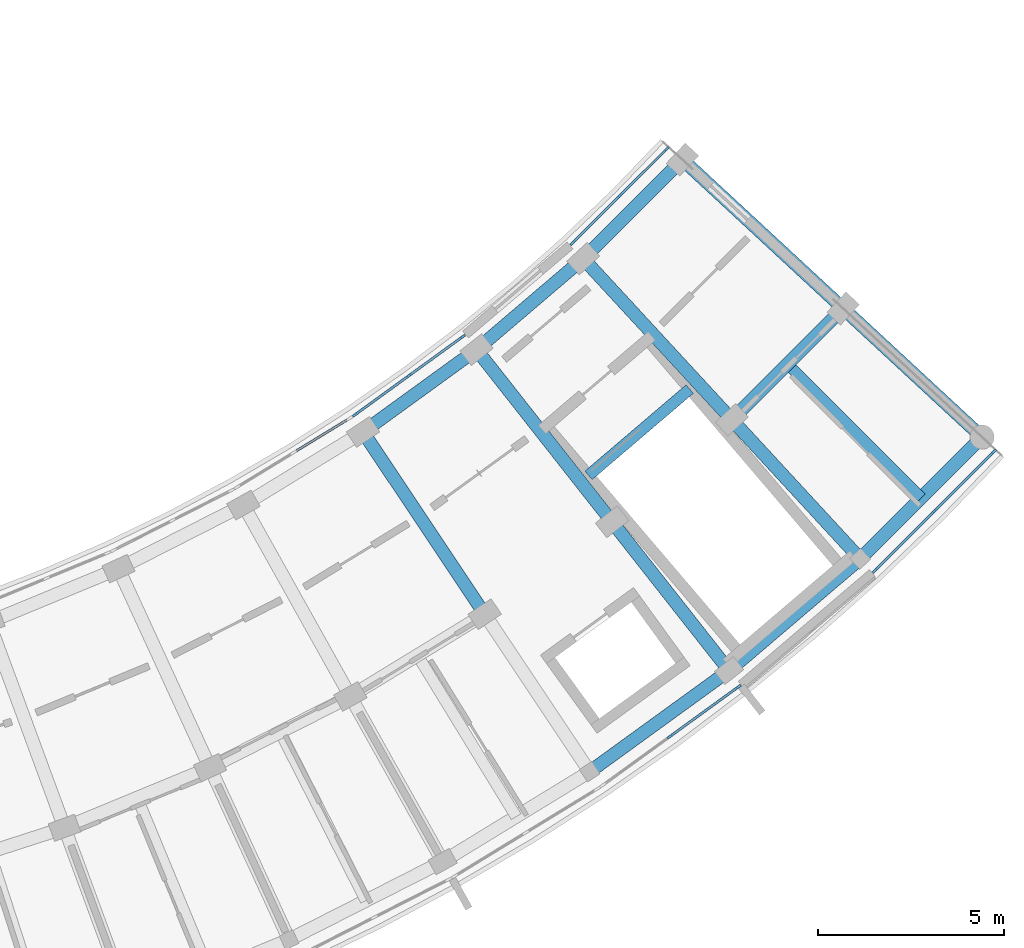
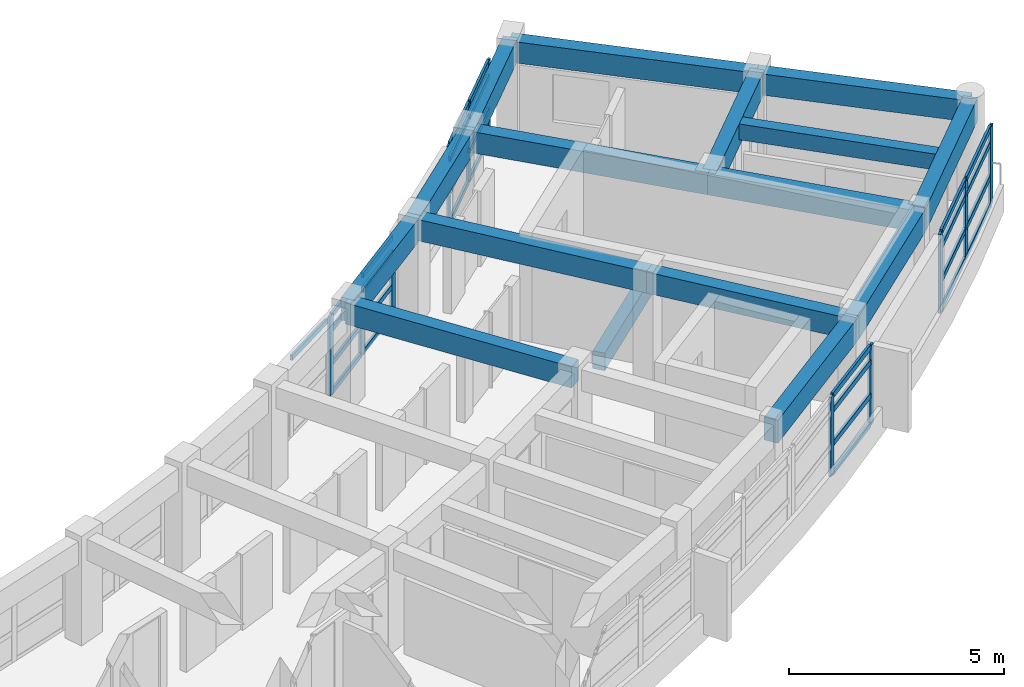
# One storey, part 19 of 54: 40 members, 16 beams, 5 elements without a shape of their own.
"""IFC4 building model written with IfcOpenShell, lengths in metres."""

from ifc_helpers import new_model, si_unit, direction, frame, origin, origin_2d, place, context, subcontext, project, spatial, rectangle, extrude, material, material_profile, profile_set, type_object, element, aggregate, save


model = new_model("IFC4")

# Units and contexts
model_context = context("Model", 3, precision=1e-05, world=origin(), true_north=direction((0.0, 1.0)))
body_context = subcontext(model_context, "Body", "Model", "MODEL_VIEW")
ifc_project = project(units=[si_unit("LENGTHUNIT", "METRE"), si_unit("AREAUNIT", "SQUARE_METRE"), si_unit("VOLUMEUNIT", "CUBIC_METRE"), si_unit("PLANEANGLEUNIT", "RADIAN"), si_unit("MASSUNIT", "GRAM", prefix="KILO")], contexts=[model_context])

# Site, building, storey
site_placement = place(None, origin())
site = spatial("IfcSite", under=ifc_project, at=site_placement, CompositionType="ELEMENT")
building_placement = place(site_placement, origin())
building = spatial("IfcBuilding", under=site, at=building_placement, Name="Zimvara Arc Housing Community", CompositionType="ELEMENT")
storey_placement = place(building_placement, frame((0.0, 0.0, 23.60009765625)))
storey = spatial("IfcBuildingStorey", under=building, at=storey_placement, Name="L07", CompositionType="ELEMENT", Elevation=23.60009765625)

# Beams
ifc_material_1 = material(Name="Concrete C40/50", Category="concrete")
ifc_material_profile_1 = material_profile(ifc_material_1, rectangle(XDim=0.300048828125, YDim=0.449951171875, at=origin_2d()), Name="RC 300x450")
ifc_profile_set_1 = profile_set([ifc_material_profile_1], Name="Concrete C40/50")
beam_type_1 = type_object("IfcBeamType", Name="BM-RC-300x450", PredefinedType="JOIST", material=ifc_profile_set_1)
beam_1_placement = place(storey_placement, frame((163.959716796875, 71.813720703125, 2.69482421875), z_axis=(0.706529394337, -0.707683696956, 0.0), x_axis=(0.707683696956, 0.706529394337, 0.0)))
element("IfcBeam", 1, at=beam_1_placement, inside=storey, type_object=beam_type_1, Name="bm:blkD:L07:joist:b9", PredefinedType="JOIST", context=body_context, shape_type="SweptSolid", body=[
    extrude(rectangle(XDim=0.300048828125, YDim=0.449951171875, at=origin_2d()), origin(), (0.0, 0.0, 1.0), 5.076171875),
])
ifc_material_2 = material(Name="Concrete C40/50", Category="concrete")
ifc_material_profile_2 = material_profile(ifc_material_2, rectangle(XDim=0.300048828125, YDim=0.5, at=origin_2d()), Name="RC 300x500")
ifc_profile_set_2 = profile_set([ifc_material_profile_2], Name="Concrete C40/50")
beam_type_2 = type_object("IfcBeamType", Name="BM-RC-300x500", PredefinedType="BEAM", material=ifc_profile_set_2)
beam_2_placement = place(storey_placement, frame((158.617919921875, 68.826904296875, -0.25), z_axis=(0.760986863652, 0.648767287515, 0.0), x_axis=(-0.648767287515, 0.760986863652, 0.0)))
element("IfcBeam", 2, at=beam_2_placement, inside=storey, type_object=beam_type_2, Name="bm:stair_trim:ST-D2:L07:near", PredefinedType="BEAM", context=body_context, shape_type="SweptSolid", body=[
    extrude(rectangle(XDim=0.300048828125, YDim=0.5, at=origin_2d()), origin(), (0.0, 0.0, 1.0), 3.570068359375),
])
ifc_material_3 = material(Name="Concrete C40/50", Category="concrete")
ifc_material_profile_3 = material_profile(ifc_material_3, rectangle(XDim=0.35009765625, YDim=0.60009765625, at=origin_2d()), Name="RC 350x600")
ifc_profile_set_3 = profile_set([ifc_material_profile_3], Name="Concrete C40/50")
beam_type_3 = type_object("IfcBeamType", Name="BM-RC-350x600", PredefinedType="BEAM", material=ifc_profile_set_3)
beam_3_placement = place(storey_placement, frame((152.568115234375, 69.99267578125, 2.619873046875), z_axis=(0.554843914175, -0.831954464441, 0.0), x_axis=(0.831954464441, 0.554843914175, 0.0)))
element("IfcBeam", 3, at=beam_3_placement, inside=storey, type_object=beam_type_3, Name="bm:blkD:L07:rad:b7:r12", PredefinedType="BEAM", context=body_context, shape_type="SweptSolid", body=[
    extrude(rectangle(XDim=0.35009765625, YDim=0.60009765625, at=origin_2d()), origin(), (0.0, 0.0, 1.0), 5.8798828125),
])
beam_4_placement = place(storey_placement, frame((155.614013671875, 72.20166015625, 2.619873046875), z_axis=(0.618431976389, -0.785838336161, 0.0), x_axis=(0.785838336161, 0.618431976389, 0.0)))
element("IfcBeam", 4, at=beam_4_placement, inside=storey, type_object=beam_type_3, Name="bm:blkD:L07:rad:b8:r12", PredefinedType="BEAM", context=body_context, shape_type="SweptSolid", body=[
    extrude(rectangle(XDim=0.35009765625, YDim=0.60009765625, at=origin_2d()), origin(), (0.0, 0.0, 1.0), 5.880126953125),
])
beam_5_placement = place(storey_placement, frame((159.25048828125, 67.580810546875, 2.619873046875), z_axis=(0.618409338539, -0.785856150964, 0.0), x_axis=(0.785856150964, 0.618409338539, 0.0)))
element("IfcBeam", 5, at=beam_5_placement, inside=storey, type_object=beam_type_3, Name="bm:blkD:L07:rad:b8:r23", PredefinedType="BEAM", context=body_context, shape_type="SweptSolid", body=[
    extrude(rectangle(XDim=0.35009765625, YDim=0.60009765625, at=origin_2d()), origin(), (0.0, 0.0, 1.0), 5.079833984375),
])
beam_6_placement = place(storey_placement, frame((158.477294921875, 74.642822265625, 2.619873046875), z_axis=(0.678180078146, -0.734895762409, 0.0), x_axis=(0.734895762409, 0.678180078146, 0.0)))
element("IfcBeam", 6, at=beam_6_placement, inside=storey, type_object=beam_type_3, Name="bm:blkD:L07:rad:b9:r12", PredefinedType="BEAM", context=body_context, shape_type="SweptSolid", body=[
    extrude(rectangle(XDim=0.35009765625, YDim=0.60009765625, at=origin_2d()), origin(), (0.0, 0.0, 1.0), 5.880126953125),
])
beam_7_placement = place(storey_placement, frame((162.465087890625, 70.321533203125, 2.619873046875), z_axis=(0.678158334116, -0.734915827744, 0.0), x_axis=(0.734915827744, 0.678158334116, 0.0)))
element("IfcBeam", 7, at=beam_7_placement, inside=storey, type_object=beam_type_3, Name="bm:blkD:L07:rad:b9:r23", PredefinedType="BEAM", context=body_context, shape_type="SweptSolid", body=[
    extrude(rectangle(XDim=0.35009765625, YDim=0.60009765625, at=origin_2d()), origin(), (0.0, 0.0, 1.0), 5.080078125),
])
beam_8_placement = place(storey_placement, frame((161.140380859375, 77.30126953125, 2.619873046875), z_axis=(0.733720040868, -0.679451912668, 0.0), x_axis=(0.679451912668, 0.733720040868, 0.0)))
element("IfcBeam", 8, at=beam_8_placement, inside=storey, type_object=beam_type_3, Name="bm:blkD:L07:rad:b10:r12", PredefinedType="BEAM", context=body_context, shape_type="SweptSolid", body=[
    extrude(rectangle(XDim=0.35009765625, YDim=0.60009765625, at=origin_2d()), origin(), (0.0, 0.0, 1.0), 5.8798828125),
])
beam_9_placement = place(storey_placement, frame((165.45458984375, 73.30615234375, 2.619873046875), z_axis=(0.733737603291, -0.679432947035, 0.0), x_axis=(0.679432947035, 0.733737603291, 0.0)))
element("IfcBeam", 9, at=beam_9_placement, inside=storey, type_object=beam_type_3, Name="bm:blkD:L07:rad:b10:r23", PredefinedType="BEAM", context=body_context, shape_type="SweptSolid", body=[
    extrude(rectangle(XDim=0.35009765625, YDim=0.60009765625, at=origin_2d()), origin(), (0.0, 0.0, 1.0), 5.080322265625),
])
ifc_material_4 = material(Name="Concrete C40/50", Category="concrete")
ifc_material_profile_4 = material_profile(ifc_material_4, rectangle(XDim=0.35009765625, YDim=0.64990234375, at=origin_2d()), Name="RC 350x650")
ifc_profile_set_4 = profile_set([ifc_material_profile_4], Name="Concrete C40/50")
beam_type_4 = type_object("IfcBeamType", Name="BM-RC-350x650", PredefinedType="BEAM", material=ifc_profile_set_4)
for number, where, z_axis, x_axis, name in (
    (10, (152.568115234375, 69.99267578125, 2.594970703125), (0.809521012702, 0.58709090437, 0.0), (-0.58709090437, 0.809521012702, 0.0), "bm:blkD:L07:chord:r1:b7"),
    (11, (155.614013671875, 72.20166015625, 2.594970703125), (0.760971502801, 0.648785304955, 0.0), (-0.648785304955, 0.760971502801, 0.0), "bm:blkD:L07:chord:r1:b8"),
):
    element("IfcBeam", number, at=place(storey_placement, frame(where, z_axis=z_axis, x_axis=x_axis)), inside=storey, type_object=beam_type_4, Name=name, PredefinedType="BEAM", context=body_context, shape_type="SweptSolid", body=[
        extrude(rectangle(XDim=0.35009765625, YDim=0.64990234375, at=origin_2d()), origin(), (0.0, 0.0, 1.0), 3.7626953125),
    ])
beam_10_placement = place(storey_placement, frame((158.477294921875, 74.642822265625, 2.594970703125), z_axis=(0.707722882862, 0.706490142234, 0.0), x_axis=(-0.706490142234, 0.707722882862, 0.0)))
element("IfcBeam", 12, at=beam_10_placement, inside=storey, type_object=beam_type_4, Name="bm:blkD:L07:chord:r1:b9", PredefinedType="BEAM", context=body_context, shape_type="SweptSolid", body=[
    extrude(rectangle(XDim=0.35009765625, YDim=0.64990234375, at=origin_2d()), origin(), (0.0, 0.0, 1.0), 3.762939453125),
])
beam_11_placement = place(storey_placement, frame((162.465087890625, 70.321533203125, 2.594970703125), z_axis=(0.707684482516, 0.706528607493, 0.0), x_axis=(-0.706528607493, 0.707684482516, 0.0)))
element("IfcBeam", 13, at=beam_11_placement, inside=storey, type_object=beam_type_4, Name="bm:blkD:L07:chord:r2:b9", PredefinedType="BEAM", context=body_context, shape_type="SweptSolid", body=[
    extrude(rectangle(XDim=0.35009765625, YDim=0.64990234375, at=origin_2d()), origin(), (0.0, 0.0, 1.0), 4.224365234375),
])
for number, where, z_axis, x_axis, name in (
    (14, (158.649169921875, 60.87451171875, 2.594970703125), (0.809516329672, 0.587097361598, 0.0), (-0.587097361598, 0.809516329672, 0.0), "bm:blkD:L07:chord:r3:b7"),
    (15, (162.391845703125, 63.5888671875, 2.594970703125), (0.761009534972, 0.648740693715, 0.0), (-0.648740693715, 0.761009534972, 0.0), "bm:blkD:L07:chord:r3:b8"),
    (16, (165.91015625, 66.588134765625, 2.594970703125), (0.707713796096, 0.706499244738, 0.0), (-0.706499244738, 0.707713796096, 0.0), "bm:blkD:L07:chord:r3:b9"),
):
    element("IfcBeam", number, at=place(storey_placement, frame(where, z_axis=z_axis, x_axis=x_axis)), inside=storey, type_object=beam_type_4, Name=name, PredefinedType="BEAM", context=body_context, shape_type="SweptSolid", body=[
        extrude(rectangle(XDim=0.35009765625, YDim=0.64990234375, at=origin_2d()), origin(), (0.0, 0.0, 1.0), 4.623291015625),
    ])

# Curtain wall, members
ifc_material_5 = material(Name="Anodised Aluminium AW-6063", Category="aluminium")
curtain_wall_type_1 = type_object("IfcCurtainWallType", Name="CW-SYS-04", PredefinedType="USERDEFINED", material=ifc_material_5)
curtain_wall_1_placement = place(storey_placement, origin())
curtain_wall_1 = element("IfcCurtainWall", 17, at=curtain_wall_1_placement, inside=storey, type_object=curtain_wall_type_1, Name="cw:blkD:L07:in:b7", ObjectType="CURTAIN WALL", PredefinedType="USERDEFINED")
ifc_material_6 = material(Name="Anodised Aluminium AW-6063", Category="aluminium")
ifc_material_profile_5 = material_profile(ifc_material_6, rectangle(XDim=0.06494140625, YDim=0.179931640625, at=origin_2d()), Name="ALU 65x180")
ifc_profile_set_5 = profile_set([ifc_material_profile_5], Name="Anodised Aluminium AW-6063")
member_type_1 = type_object("IfcMemberType", Name="CWM-65x150", PredefinedType="MULLION", material=ifc_profile_set_5)
member_1_placement = place(storey_placement, frame((152.365478515625, 70.463134765625, 0.0), z_axis=(0.0, 0.0, 1.0), x_axis=(-0.587078799564, 0.809529791362, 0.0)))
member_1 = element("IfcMember", 18, at=member_1_placement, type_object=member_type_1, Name="CW04 mullion 1", PredefinedType="MULLION", context=body_context, shape_type="SweptSolid", body=[
    extrude(rectangle(XDim=0.06494140625, YDim=0.179931640625, at=origin_2d()), origin(), (0.0, 0.0, 1.0), 2.25),
])
member_2_placement = place(storey_placement, frame((153.7978515625, 71.501708984375, 0.0), z_axis=(0.0, 0.0, 1.0), x_axis=(-0.587078799564, 0.809529791362, 0.0)))
member_2 = element("IfcMember", 19, at=member_2_placement, type_object=member_type_1, Name="CW04 mullion 2", PredefinedType="MULLION", context=body_context, shape_type="SweptSolid", body=[
    extrude(rectangle(XDim=0.06494140625, YDim=0.179931640625, at=origin_2d()), origin(), (0.0, 0.0, 1.0), 2.25),
])
member_3_placement = place(storey_placement, frame((155.22998046875, 72.540283203125, 0.0), z_axis=(0.0, 0.0, 1.0), x_axis=(-0.587078799564, 0.809529791362, 0.0)))
member_3 = element("IfcMember", 20, at=member_3_placement, type_object=member_type_1, Name="CW04 mullion 3", PredefinedType="MULLION", context=body_context, shape_type="SweptSolid", body=[
    extrude(rectangle(XDim=0.06494140625, YDim=0.179931640625, at=origin_2d()), origin(), (0.0, 0.0, 1.0), 2.25),
])

ifc_material_7 = material(Name="Anodised Aluminium AW-6063", Category="aluminium")
curtain_wall_type_2 = type_object("IfcCurtainWallType", Name="CW-SYS-06", PredefinedType="USERDEFINED", material=ifc_material_7)
curtain_wall_2_placement = place(storey_placement, origin())
curtain_wall_2 = element("IfcCurtainWall", 21, at=curtain_wall_2_placement, inside=storey, type_object=curtain_wall_type_2, Name="cw:blkD:L07:in:b9", ObjectType="CURTAIN WALL", PredefinedType="USERDEFINED")
member_4_placement = place(storey_placement, frame((158.203857421875, 75.07568359375, 0.0), z_axis=(0.0, 0.0, 1.0), x_axis=(-0.706489038572, 0.7077239846, 0.0)))
member_4 = element("IfcMember", 22, at=member_4_placement, type_object=member_type_1, Name="CW06 mullion 1", PredefinedType="MULLION", context=body_context, shape_type="SweptSolid", body=[
    extrude(rectangle(XDim=0.06494140625, YDim=0.179931640625, at=origin_2d()), origin(), (0.0, 0.0, 1.0), 2.25),
])
member_5_placement = place(storey_placement, frame((159.455810546875, 76.32568359375, 0.0), z_axis=(0.0, 0.0, 1.0), x_axis=(-0.706489038572, 0.7077239846, 0.0)))
member_5 = element("IfcMember", 23, at=member_5_placement, type_object=member_type_1, Name="CW06 mullion 2", PredefinedType="MULLION", context=body_context, shape_type="SweptSolid", body=[
    extrude(rectangle(XDim=0.06494140625, YDim=0.179931640625, at=origin_2d()), origin(), (0.0, 0.0, 1.0), 2.25),
])
member_6_placement = place(storey_placement, frame((160.7080078125, 77.575439453125, 0.0), z_axis=(0.0, 0.0, 1.0), x_axis=(-0.706489038572, 0.7077239846, 0.0)))
member_6 = element("IfcMember", 24, at=member_6_placement, type_object=member_type_1, Name="CW06 mullion 3", PredefinedType="MULLION", context=body_context, shape_type="SweptSolid", body=[
    extrude(rectangle(XDim=0.06494140625, YDim=0.179931640625, at=origin_2d()), origin(), (0.0, 0.0, 1.0), 2.25),
])

ifc_material_8 = material(Name="Anodised Aluminium AW-6063", Category="aluminium")
curtain_wall_type_3 = type_object("IfcCurtainWallType", Name="CW-SYS-03", PredefinedType="USERDEFINED", material=ifc_material_8)
curtain_wall_3_placement = place(storey_placement, origin())
curtain_wall_3 = element("IfcCurtainWall", 25, at=curtain_wall_3_placement, inside=storey, type_object=curtain_wall_type_3, Name="cw:blkD:L07:out:b7", ObjectType="CURTAIN WALL", PredefinedType="USERDEFINED")
ifc_material_9 = material(Name="Anodised Aluminium AW-6063", Category="aluminium")
ifc_material_profile_6 = material_profile(ifc_material_9, rectangle(XDim=0.06494140625, YDim=0.195068359375, at=origin_2d()), Name="ALU 65x195")
ifc_profile_set_6 = profile_set([ifc_material_profile_6], Name="Anodised Aluminium AW-6063")
member_type_2 = type_object("IfcMemberType", Name="CWM-65x180", PredefinedType="MULLION", material=ifc_profile_set_6)
member_7_placement = place(storey_placement, frame((160.81396484375, 61.8271484375, 0.0), z_axis=(0.0, 0.0, 1.0), x_axis=(-0.587077917196, 0.809530431263, 0.0)))
member_7 = element("IfcMember", 26, at=member_7_placement, type_object=member_type_2, Name="CW03 mullion 2", PredefinedType="MULLION", context=body_context, shape_type="SweptSolid", body=[
    extrude(rectangle(XDim=0.06494140625, YDim=0.195068359375, at=origin_2d()), origin(), (0.0, 0.0, 1.0), 2.25),
])
member_8_placement = place(storey_placement, frame((162.626220703125, 63.1416015625, 0.0), z_axis=(0.0, 0.0, 1.0), x_axis=(-0.587077917196, 0.809530431263, 0.0)))
member_8 = element("IfcMember", 27, at=member_8_placement, type_object=member_type_2, Name="CW03 mullion 3", PredefinedType="MULLION", context=body_context, shape_type="SweptSolid", body=[
    extrude(rectangle(XDim=0.06494140625, YDim=0.195068359375, at=origin_2d()), origin(), (0.0, 0.0, 1.0), 2.25),
])

ifc_material_10 = material(Name="Anodised Aluminium AW-6063", Category="aluminium")
curtain_wall_type_4 = type_object("IfcCurtainWallType", Name="CW-SYS-05", PredefinedType="USERDEFINED", material=ifc_material_10)
curtain_wall_4_placement = place(storey_placement, origin())
curtain_wall_4 = element("IfcCurtainWall", 28, at=curtain_wall_4_placement, inside=storey, type_object=curtain_wall_type_4, Name="cw:blkD:L07:out:b9", ObjectType="CURTAIN WALL", PredefinedType="USERDEFINED")
member_9_placement = place(storey_placement, frame((166.314697265625, 66.2861328125, 0.0), z_axis=(0.0, 0.0, 1.0), x_axis=(-0.706489010891, 0.707724012233, 0.0)))
member_9 = element("IfcMember", 29, at=member_9_placement, type_object=member_type_2, Name="CW05 mullion 1", PredefinedType="MULLION", context=body_context, shape_type="SweptSolid", body=[
    extrude(rectangle(XDim=0.06494140625, YDim=0.195068359375, at=origin_2d()), origin(), (0.0, 0.0, 1.0), 2.25),
])
member_10_placement = place(storey_placement, frame((167.89892578125, 67.86767578125, 0.0), z_axis=(0.0, 0.0, 1.0), x_axis=(-0.706489010891, 0.707724012233, 0.0)))
member_10 = element("IfcMember", 30, at=member_10_placement, type_object=member_type_2, Name="CW05 mullion 2", PredefinedType="MULLION", context=body_context, shape_type="SweptSolid", body=[
    extrude(rectangle(XDim=0.06494140625, YDim=0.195068359375, at=origin_2d()), origin(), (0.0, 0.0, 1.0), 2.25),
])
member_11_placement = place(storey_placement, frame((169.4833984375, 69.449462890625, 0.0), z_axis=(0.0, 0.0, 1.0), x_axis=(-0.706489010891, 0.707724012233, 0.0)))
member_11 = element("IfcMember", 31, at=member_11_placement, type_object=member_type_2, Name="CW05 mullion 3", PredefinedType="MULLION", context=body_context, shape_type="SweptSolid", body=[
    extrude(rectangle(XDim=0.06494140625, YDim=0.195068359375, at=origin_2d()), origin(), (0.0, 0.0, 1.0), 2.25),
])

# Curtain wall, member
ifc_material_11 = material(Name="Anodised Aluminium AW-6063", Category="aluminium")
curtain_wall_type_5 = type_object("IfcCurtainWallType", Name="CW-SYS-02", PredefinedType="USERDEFINED", material=ifc_material_11)
curtain_wall_5_placement = place(storey_placement, origin())
curtain_wall_5 = element("IfcCurtainWall", 32, at=curtain_wall_5_placement, inside=storey, type_object=curtain_wall_type_5, Name="cw:blkD:L07:in:b6", ObjectType="CURTAIN WALL", PredefinedType="USERDEFINED")
ifc_material_12 = material(Name="Anodised Aluminium AW-6063", Category="aluminium")
ifc_material_profile_7 = material_profile(ifc_material_12, rectangle(XDim=0.06494140625, YDim=0.139892578125, at=origin_2d()), Name="ALU 65x140")
ifc_profile_set_7 = profile_set([ifc_material_profile_7], Name="Anodised Aluminium AW-6063")
member_type_3 = type_object("IfcMemberType", Name="CWT-65x120", PredefinedType="USERDEFINED", material=ifc_profile_set_7)
member_12_placement = place(storey_placement, frame((150.730224609375, 69.454345703125, 2.21728515625), z_axis=(0.85310118086, 0.521745508093, 0.0), x_axis=(-0.521745508093, 0.85310118086, 0.0)))
member_12 = element("IfcMember", 33, at=member_12_placement, type_object=member_type_3, Name="CW02 transom 2.4", ObjectType="TRANSOM", PredefinedType="USERDEFINED", context=body_context, shape_type="SweptSolid", body=[
    extrude(rectangle(XDim=0.06494140625, YDim=0.139892578125, at=origin_2d()), origin(), (0.0, 0.0, 1.0), 1.7041015625),
])
aggregate(curtain_wall_5, [member_12])

# Member
member_13_placement = place(storey_placement, frame((152.391845703125, 70.482177734375, 0.032470703125), z_axis=(0.809540658241, 0.587063814806, 0.0), x_axis=(-0.587063814806, 0.809540658241, 0.0)))
member_13 = element("IfcMember", 34, at=member_13_placement, type_object=member_type_3, Name="CW04 transom 1.1", ObjectType="TRANSOM", PredefinedType="USERDEFINED", context=body_context, shape_type="SweptSolid", body=[
    extrude(rectangle(XDim=0.06494140625, YDim=0.139892578125, at=origin_2d()), origin(), (0.0, 0.0, 1.0), 1.704345703125),
])

member_14_placement = place(storey_placement, frame((152.391845703125, 70.482177734375, 0.849853515625), z_axis=(0.809540658241, 0.587063814806, 0.0), x_axis=(-0.587063814806, 0.809540658241, 0.0)))
member_14 = element("IfcMember", 35, at=member_14_placement, type_object=member_type_3, Name="CW04 transom 1.2", ObjectType="TRANSOM", PredefinedType="USERDEFINED", context=body_context, shape_type="SweptSolid", body=[
    extrude(rectangle(XDim=0.06494140625, YDim=0.139892578125, at=origin_2d()), origin(), (0.0, 0.0, 1.0), 1.704345703125),
])

member_15_placement = place(storey_placement, frame((152.391845703125, 70.482177734375, 1.7998046875), z_axis=(0.809540658241, 0.587063814806, 0.0), x_axis=(-0.587063814806, 0.809540658241, 0.0)))
member_15 = element("IfcMember", 36, at=member_15_placement, type_object=member_type_3, Name="CW04 transom 1.3", ObjectType="TRANSOM", PredefinedType="USERDEFINED", context=body_context, shape_type="SweptSolid", body=[
    extrude(rectangle(XDim=0.06494140625, YDim=0.139892578125, at=origin_2d()), origin(), (0.0, 0.0, 1.0), 1.704345703125),
])

member_16_placement = place(storey_placement, frame((152.391845703125, 70.482177734375, 2.21728515625), z_axis=(0.809540658241, 0.587063814806, 0.0), x_axis=(-0.587063814806, 0.809540658241, 0.0)))
member_16 = element("IfcMember", 37, at=member_16_placement, type_object=member_type_3, Name="CW04 transom 1.4", ObjectType="TRANSOM", PredefinedType="USERDEFINED", context=body_context, shape_type="SweptSolid", body=[
    extrude(rectangle(XDim=0.06494140625, YDim=0.139892578125, at=origin_2d()), origin(), (0.0, 0.0, 1.0), 1.704345703125),
])

member_17_placement = place(storey_placement, frame((153.82421875, 71.520751953125, 0.032470703125), z_axis=(0.80949127728, 0.587131903415, 0.0), x_axis=(-0.587131903415, 0.80949127728, 0.0)))
member_17 = element("IfcMember", 38, at=member_17_placement, type_object=member_type_3, Name="CW04 transom 2.1", ObjectType="TRANSOM", PredefinedType="USERDEFINED", context=body_context, shape_type="SweptSolid", body=[
    extrude(rectangle(XDim=0.06494140625, YDim=0.139892578125, at=origin_2d()), origin(), (0.0, 0.0, 1.0), 1.7041015625),
])

member_18_placement = place(storey_placement, frame((153.82421875, 71.520751953125, 0.849853515625), z_axis=(0.80949127728, 0.587131903415, 0.0), x_axis=(-0.587131903415, 0.80949127728, 0.0)))
member_18 = element("IfcMember", 39, at=member_18_placement, type_object=member_type_3, Name="CW04 transom 2.2", ObjectType="TRANSOM", PredefinedType="USERDEFINED", context=body_context, shape_type="SweptSolid", body=[
    extrude(rectangle(XDim=0.06494140625, YDim=0.139892578125, at=origin_2d()), origin(), (0.0, 0.0, 1.0), 1.7041015625),
])

member_19_placement = place(storey_placement, frame((153.82421875, 71.520751953125, 1.7998046875), z_axis=(0.80949127728, 0.587131903415, 0.0), x_axis=(-0.587131903415, 0.80949127728, 0.0)))
member_19 = element("IfcMember", 40, at=member_19_placement, type_object=member_type_3, Name="CW04 transom 2.3", ObjectType="TRANSOM", PredefinedType="USERDEFINED", context=body_context, shape_type="SweptSolid", body=[
    extrude(rectangle(XDim=0.06494140625, YDim=0.139892578125, at=origin_2d()), origin(), (0.0, 0.0, 1.0), 1.7041015625),
])

member_20_placement = place(storey_placement, frame((153.82421875, 71.520751953125, 2.21728515625), z_axis=(0.80949127728, 0.587131903415, 0.0), x_axis=(-0.587131903415, 0.80949127728, 0.0)))
member_20 = element("IfcMember", 41, at=member_20_placement, type_object=member_type_3, Name="CW04 transom 2.4", ObjectType="TRANSOM", PredefinedType="USERDEFINED", context=body_context, shape_type="SweptSolid", body=[
    extrude(rectangle(XDim=0.06494140625, YDim=0.139892578125, at=origin_2d()), origin(), (0.0, 0.0, 1.0), 1.7041015625),
])

aggregate(curtain_wall_1, [member_1, member_2, member_3, member_13, member_14, member_15, member_16, member_17, member_18, member_19, member_20])

member_21_placement = place(storey_placement, frame((158.226806640625, 75.0986328125, 0.032470703125), z_axis=(0.707679568901, 0.706533529113, 0.0), x_axis=(-0.706533529113, 0.707679568901, 0.0)))
member_21 = element("IfcMember", 42, at=member_21_placement, type_object=member_type_3, Name="CW06 transom 1.1", ObjectType="TRANSOM", PredefinedType="USERDEFINED", context=body_context, shape_type="SweptSolid", body=[
    extrude(rectangle(XDim=0.06494140625, YDim=0.139892578125, at=origin_2d()), origin(), (0.0, 0.0, 1.0), 1.704345703125),
])

member_22_placement = place(storey_placement, frame((158.226806640625, 75.0986328125, 0.849853515625), z_axis=(0.707679568901, 0.706533529113, 0.0), x_axis=(-0.706533529113, 0.707679568901, 0.0)))
member_22 = element("IfcMember", 43, at=member_22_placement, type_object=member_type_3, Name="CW06 transom 1.2", ObjectType="TRANSOM", PredefinedType="USERDEFINED", context=body_context, shape_type="SweptSolid", body=[
    extrude(rectangle(XDim=0.06494140625, YDim=0.139892578125, at=origin_2d()), origin(), (0.0, 0.0, 1.0), 1.704345703125),
])

member_23_placement = place(storey_placement, frame((158.226806640625, 75.0986328125, 1.7998046875), z_axis=(0.707679568901, 0.706533529113, 0.0), x_axis=(-0.706533529113, 0.707679568901, 0.0)))
member_23 = element("IfcMember", 44, at=member_23_placement, type_object=member_type_3, Name="CW06 transom 1.3", ObjectType="TRANSOM", PredefinedType="USERDEFINED", context=body_context, shape_type="SweptSolid", body=[
    extrude(rectangle(XDim=0.06494140625, YDim=0.139892578125, at=origin_2d()), origin(), (0.0, 0.0, 1.0), 1.704345703125),
])

member_24_placement = place(storey_placement, frame((158.226806640625, 75.0986328125, 2.21728515625), z_axis=(0.707679568901, 0.706533529113, 0.0), x_axis=(-0.706533529113, 0.707679568901, 0.0)))
member_24 = element("IfcMember", 45, at=member_24_placement, type_object=member_type_3, Name="CW06 transom 1.4", ObjectType="TRANSOM", PredefinedType="USERDEFINED", context=body_context, shape_type="SweptSolid", body=[
    extrude(rectangle(XDim=0.06494140625, YDim=0.139892578125, at=origin_2d()), origin(), (0.0, 0.0, 1.0), 1.704345703125),
])

member_25_placement = place(storey_placement, frame((159.47900390625, 76.3486328125, 0.032470703125), z_axis=(0.707751199906, 0.706461774643, 0.0), x_axis=(-0.706461774643, 0.707751199906, 0.0)))
member_25 = element("IfcMember", 46, at=member_25_placement, type_object=member_type_3, Name="CW06 transom 2.1", ObjectType="TRANSOM", PredefinedType="USERDEFINED", context=body_context, shape_type="SweptSolid", body=[
    extrude(rectangle(XDim=0.06494140625, YDim=0.139892578125, at=origin_2d()), origin(), (0.0, 0.0, 1.0), 1.7041015625),
])

member_26_placement = place(storey_placement, frame((159.47900390625, 76.3486328125, 0.849853515625), z_axis=(0.707751199906, 0.706461774643, 0.0), x_axis=(-0.706461774643, 0.707751199906, 0.0)))
member_26 = element("IfcMember", 47, at=member_26_placement, type_object=member_type_3, Name="CW06 transom 2.2", ObjectType="TRANSOM", PredefinedType="USERDEFINED", context=body_context, shape_type="SweptSolid", body=[
    extrude(rectangle(XDim=0.06494140625, YDim=0.139892578125, at=origin_2d()), origin(), (0.0, 0.0, 1.0), 1.7041015625),
])

member_27_placement = place(storey_placement, frame((159.47900390625, 76.3486328125, 1.7998046875), z_axis=(0.707751199906, 0.706461774643, 0.0), x_axis=(-0.706461774643, 0.707751199906, 0.0)))
member_27 = element("IfcMember", 48, at=member_27_placement, type_object=member_type_3, Name="CW06 transom 2.3", ObjectType="TRANSOM", PredefinedType="USERDEFINED", context=body_context, shape_type="SweptSolid", body=[
    extrude(rectangle(XDim=0.06494140625, YDim=0.139892578125, at=origin_2d()), origin(), (0.0, 0.0, 1.0), 1.7041015625),
])

member_28_placement = place(storey_placement, frame((159.47900390625, 76.3486328125, 2.21728515625), z_axis=(0.707751199906, 0.706461774643, 0.0), x_axis=(-0.706461774643, 0.707751199906, 0.0)))
member_28 = element("IfcMember", 49, at=member_28_placement, type_object=member_type_3, Name="CW06 transom 2.4", ObjectType="TRANSOM", PredefinedType="USERDEFINED", context=body_context, shape_type="SweptSolid", body=[
    extrude(rectangle(XDim=0.06494140625, YDim=0.139892578125, at=origin_2d()), origin(), (0.0, 0.0, 1.0), 1.7041015625),
])

aggregate(curtain_wall_2, [member_4, member_5, member_6, member_21, member_22, member_23, member_24, member_25, member_26, member_27, member_28])

ifc_material_13 = material(Name="Anodised Aluminium AW-6063", Category="aluminium")
ifc_material_profile_8 = material_profile(ifc_material_13, rectangle(XDim=0.06494140625, YDim=0.155029296875, at=origin_2d()), Name="ALU 65x155")
ifc_profile_set_8 = profile_set([ifc_material_profile_8], Name="Anodised Aluminium AW-6063")
member_type_4 = type_object("IfcMemberType", Name="CWT-65x140", PredefinedType="USERDEFINED", material=ifc_profile_set_8)
member_29_placement = place(storey_placement, frame((160.840087890625, 61.84619140625, 0.032470703125), z_axis=(0.80954639163, 0.587055908581, 0.0), x_axis=(-0.587055908581, 0.80954639163, 0.0)))
member_29 = element("IfcMember", 50, at=member_29_placement, type_object=member_type_4, Name="CW03 transom 2.1", ObjectType="TRANSOM", PredefinedType="USERDEFINED", context=body_context, shape_type="SweptSolid", body=[
    extrude(rectangle(XDim=0.06494140625, YDim=0.155029296875, at=origin_2d()), origin(), (0.0, 0.0, 1.0), 2.173828125),
])

member_30_placement = place(storey_placement, frame((160.840087890625, 61.84619140625, 0.849853515625), z_axis=(0.80954639163, 0.587055908581, 0.0), x_axis=(-0.587055908581, 0.80954639163, 0.0)))
member_30 = element("IfcMember", 51, at=member_30_placement, type_object=member_type_4, Name="CW03 transom 2.2", ObjectType="TRANSOM", PredefinedType="USERDEFINED", context=body_context, shape_type="SweptSolid", body=[
    extrude(rectangle(XDim=0.06494140625, YDim=0.155029296875, at=origin_2d()), origin(), (0.0, 0.0, 1.0), 2.173828125),
])

member_31_placement = place(storey_placement, frame((160.840087890625, 61.84619140625, 1.7998046875), z_axis=(0.80954639163, 0.587055908581, 0.0), x_axis=(-0.587055908581, 0.80954639163, 0.0)))
member_31 = element("IfcMember", 52, at=member_31_placement, type_object=member_type_4, Name="CW03 transom 2.3", ObjectType="TRANSOM", PredefinedType="USERDEFINED", context=body_context, shape_type="SweptSolid", body=[
    extrude(rectangle(XDim=0.06494140625, YDim=0.155029296875, at=origin_2d()), origin(), (0.0, 0.0, 1.0), 2.173828125),
])

member_32_placement = place(storey_placement, frame((160.840087890625, 61.84619140625, 2.21728515625), z_axis=(0.80954639163, 0.587055908581, 0.0), x_axis=(-0.587055908581, 0.80954639163, 0.0)))
member_32 = element("IfcMember", 53, at=member_32_placement, type_object=member_type_4, Name="CW03 transom 2.4", ObjectType="TRANSOM", PredefinedType="USERDEFINED", context=body_context, shape_type="SweptSolid", body=[
    extrude(rectangle(XDim=0.06494140625, YDim=0.155029296875, at=origin_2d()), origin(), (0.0, 0.0, 1.0), 2.173828125),
])

aggregate(curtain_wall_3, [member_7, member_8, member_29, member_30, member_31, member_32])

member_33_placement = place(storey_placement, frame((166.337646484375, 66.30908203125, 0.032470703125), z_axis=(0.707724267801, 0.706488754875, 0.0), x_axis=(-0.706488754875, 0.707724267801, 0.0)))
member_33 = element("IfcMember", 54, at=member_33_placement, type_object=member_type_4, Name="CW05 transom 1.1", ObjectType="TRANSOM", PredefinedType="USERDEFINED", context=body_context, shape_type="SweptSolid", body=[
    extrude(rectangle(XDim=0.06494140625, YDim=0.155029296875, at=origin_2d()), origin(), (0.0, 0.0, 1.0), 2.173583984375),
])

member_34_placement = place(storey_placement, frame((166.337646484375, 66.30908203125, 0.849853515625), z_axis=(0.707724267801, 0.706488754875, 0.0), x_axis=(-0.706488754875, 0.707724267801, 0.0)))
member_34 = element("IfcMember", 55, at=member_34_placement, type_object=member_type_4, Name="CW05 transom 1.2", ObjectType="TRANSOM", PredefinedType="USERDEFINED", context=body_context, shape_type="SweptSolid", body=[
    extrude(rectangle(XDim=0.06494140625, YDim=0.155029296875, at=origin_2d()), origin(), (0.0, 0.0, 1.0), 2.173583984375),
])

member_35_placement = place(storey_placement, frame((166.337646484375, 66.30908203125, 1.7998046875), z_axis=(0.707724267801, 0.706488754875, 0.0), x_axis=(-0.706488754875, 0.707724267801, 0.0)))
member_35 = element("IfcMember", 56, at=member_35_placement, type_object=member_type_4, Name="CW05 transom 1.3", ObjectType="TRANSOM", PredefinedType="USERDEFINED", context=body_context, shape_type="SweptSolid", body=[
    extrude(rectangle(XDim=0.06494140625, YDim=0.155029296875, at=origin_2d()), origin(), (0.0, 0.0, 1.0), 2.173583984375),
])

member_36_placement = place(storey_placement, frame((166.337646484375, 66.30908203125, 2.21728515625), z_axis=(0.707724267801, 0.706488754875, 0.0), x_axis=(-0.706488754875, 0.707724267801, 0.0)))
member_36 = element("IfcMember", 57, at=member_36_placement, type_object=member_type_4, Name="CW05 transom 1.4", ObjectType="TRANSOM", PredefinedType="USERDEFINED", context=body_context, shape_type="SweptSolid", body=[
    extrude(rectangle(XDim=0.06494140625, YDim=0.155029296875, at=origin_2d()), origin(), (0.0, 0.0, 1.0), 2.173583984375),
])

member_37_placement = place(storey_placement, frame((167.922119140625, 67.890625, 0.032470703125), z_axis=(0.707668110429, 0.706545005985, 0.0), x_axis=(-0.706545005985, 0.707668110429, 0.0)))
member_37 = element("IfcMember", 58, at=member_37_placement, type_object=member_type_4, Name="CW05 transom 2.1", ObjectType="TRANSOM", PredefinedType="USERDEFINED", context=body_context, shape_type="SweptSolid", body=[
    extrude(rectangle(XDim=0.06494140625, YDim=0.155029296875, at=origin_2d()), origin(), (0.0, 0.0, 1.0), 2.173828125),
])

member_38_placement = place(storey_placement, frame((167.922119140625, 67.890625, 0.849853515625), z_axis=(0.707668110429, 0.706545005985, 0.0), x_axis=(-0.706545005985, 0.707668110429, 0.0)))
member_38 = element("IfcMember", 59, at=member_38_placement, type_object=member_type_4, Name="CW05 transom 2.2", ObjectType="TRANSOM", PredefinedType="USERDEFINED", context=body_context, shape_type="SweptSolid", body=[
    extrude(rectangle(XDim=0.06494140625, YDim=0.155029296875, at=origin_2d()), origin(), (0.0, 0.0, 1.0), 2.173828125),
])

member_39_placement = place(storey_placement, frame((167.922119140625, 67.890625, 1.7998046875), z_axis=(0.707668110429, 0.706545005985, 0.0), x_axis=(-0.706545005985, 0.707668110429, 0.0)))
member_39 = element("IfcMember", 60, at=member_39_placement, type_object=member_type_4, Name="CW05 transom 2.3", ObjectType="TRANSOM", PredefinedType="USERDEFINED", context=body_context, shape_type="SweptSolid", body=[
    extrude(rectangle(XDim=0.06494140625, YDim=0.155029296875, at=origin_2d()), origin(), (0.0, 0.0, 1.0), 2.173828125),
])

member_40_placement = place(storey_placement, frame((167.922119140625, 67.890625, 2.21728515625), z_axis=(0.707668110429, 0.706545005985, 0.0), x_axis=(-0.706545005985, 0.707668110429, 0.0)))
member_40 = element("IfcMember", 61, at=member_40_placement, type_object=member_type_4, Name="CW05 transom 2.4", ObjectType="TRANSOM", PredefinedType="USERDEFINED", context=body_context, shape_type="SweptSolid", body=[
    extrude(rectangle(XDim=0.06494140625, YDim=0.155029296875, at=origin_2d()), origin(), (0.0, 0.0, 1.0), 2.173828125),
])

aggregate(curtain_wall_4, [member_9, member_10, member_11, member_33, member_34, member_35, member_36, member_37, member_38, member_39, member_40])

save(model, "model.ifc")
